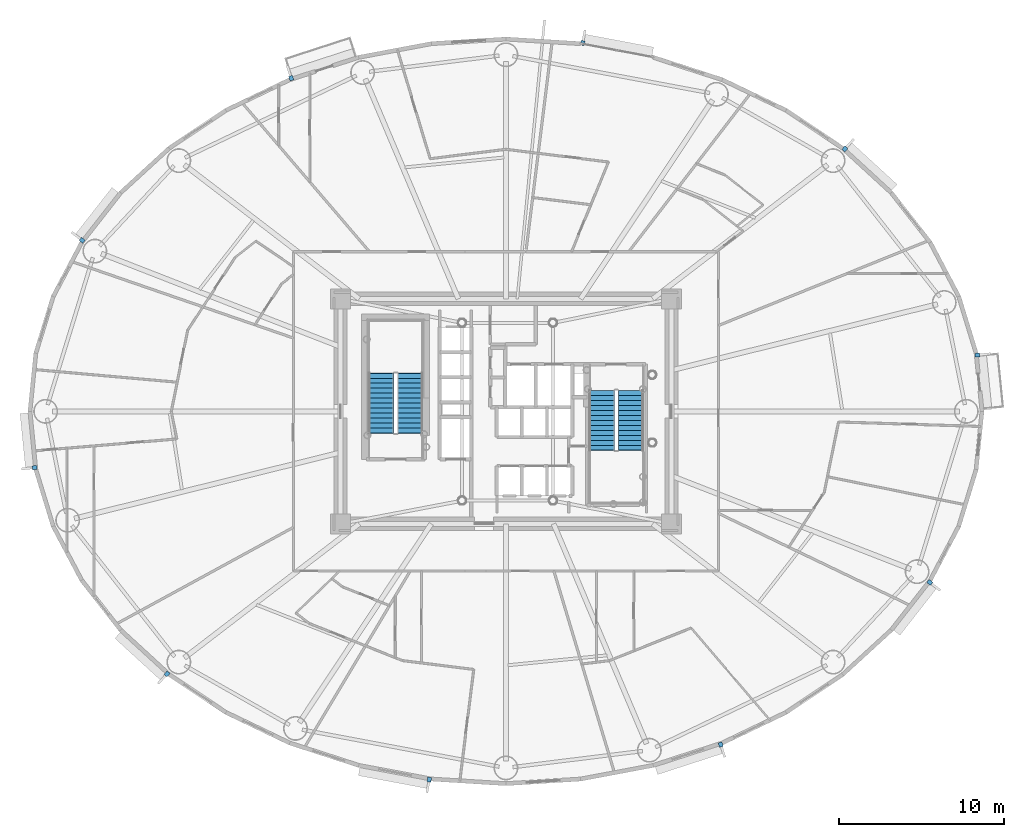
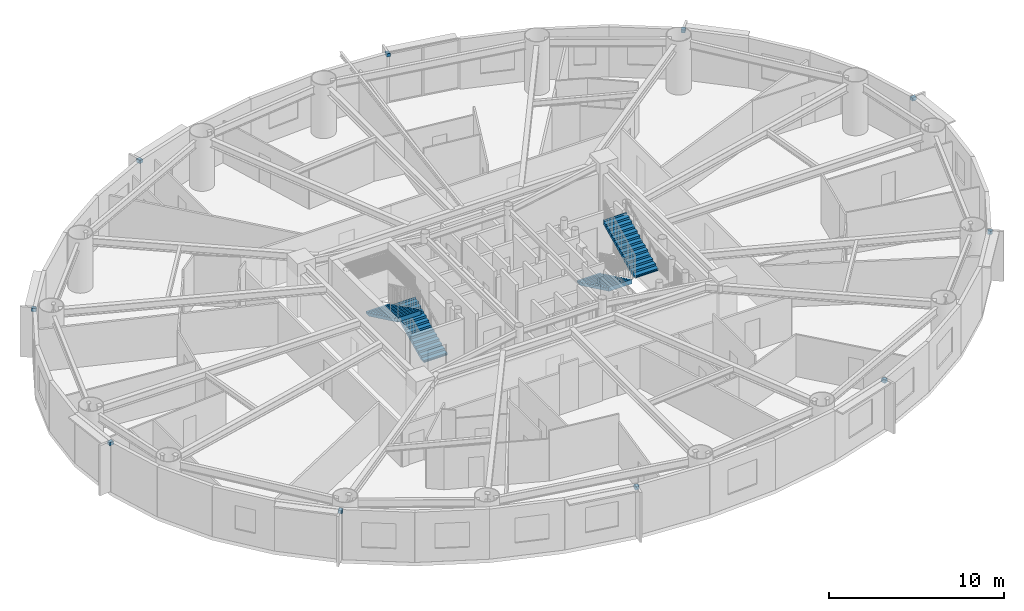
# One storey, part 12 of 18: 10 discrete accessories, 4 stair flights, 2 elements without a shape of their own.
"""IFC4 building model written with IfcOpenShell, lengths in metres."""

from ifc_helpers import new_model, si_unit, direction, frame, origin, origin_2d, place, context, subcontext, project, spatial, polyline, rectangle, outline, extrude, source, transform, mapped, material, type_object, element, aggregate, save


model = new_model("IFC4")

# Units and contexts
model_context = context("Model", 3, precision=1e-05, world=origin(), true_north=direction((0.0, 1.0)))
body_context = subcontext(model_context, "Body", "Model", "MODEL_VIEW")
ifc_project = project(units=[si_unit("LENGTHUNIT", "METRE"), si_unit("AREAUNIT", "SQUARE_METRE"), si_unit("VOLUMEUNIT", "CUBIC_METRE"), si_unit("PLANEANGLEUNIT", "RADIAN"), si_unit("MASSUNIT", "GRAM", prefix="KILO")], contexts=[model_context])

# Site, building, storey
site_placement = place(None, origin())
site = spatial("IfcSite", under=ifc_project, at=site_placement, CompositionType="ELEMENT")
building_placement = place(site_placement, origin())
building = spatial("IfcBuilding", under=site, at=building_placement, Name="Linh Dai School and Residence Tower", CompositionType="ELEMENT")
storey_placement = place(building_placement, frame((0.0, 0.0, 104.699951171875)))
storey = spatial("IfcBuildingStorey", under=building, at=storey_placement, Name="L24", CompositionType="ELEMENT", Elevation=104.699951171875)

# Stair, stair flights
ifc_material_1 = material(Name="Concrete B45 (C35/45)", Category="concrete")
stair_type = type_object("IfcStairType", Name="ST-DOG-1550-R1442", PredefinedType="HALF_TURN_STAIR", material=ifc_material_1)
stair_1_placement = place(storey_placement, origin())
stair_1 = element("IfcStair", 1, at=stair_1_placement, inside=storey, type_object=stair_type, Name="L24 Core Smokeproof Exit Stair ST1", PredefinedType="HALF_TURN_STAIR")
stair_flight_type = type_object("IfcStairFlightType", Name="STF-STR-1550-R1442", PredefinedType="STRAIGHT", material=ifc_material_1)
shared_shape_1 = source(origin(), body_context, "Body", "SweptSolid", [
    extrude(outline(polyline([(-0.02490234375, 0.0), (-0.02490234375, 0.06005859375), (0.0, 0.06005859375), (0.0, 0.144287109375), (0.300048828125, 0.144287109375), (0.300048828125, 0.28857421875), (0.60009765625, 0.28857421875), (0.60009765625, 0.4326171875), (0.89990234375, 0.4326171875), (0.89990234375, 0.576904296875), (1.199951171875, 0.576904296875), (1.199951171875, 0.72119140625), (1.5, 0.72119140625), (1.5, 0.865478515625), (1.800048828125, 0.865478515625), (1.800048828125, 1.009521484375), (2.10009765625, 1.009521484375), (2.10009765625, 1.15380859375), (2.39990234375, 1.15380859375), (2.39990234375, 1.298095703125), (2.699951171875, 1.298095703125), (2.699951171875, 1.4423828125), (3.0, 1.4423828125), (3.0, 1.58642578125), (3.300048828125, 1.58642578125), (3.300048828125, 1.730712890625), (3.60009765625, 1.730712890625), (3.60009765625, 1.875), (3.625, 1.875), (3.625, 1.564453125), (3.60009765625, 1.564453125), (0.345947265625, 0.0), (-0.02490234375, 0.0)])), frame((0.0, 0.77490234375, 0.0), z_axis=(0.0, -1.0, 0.0), x_axis=(1.0, 0.0, 0.0)), (0.0, 0.0, 1.0), 1.550048828125),
])
stair_flight_1_placement = place(storey_placement, frame((30.205078125, 25.699951171875, 0.0), z_axis=(0.0, 0.0, 1.0), x_axis=(0.0, 1.0, 0.0)))
stair_flight_1 = element("IfcStairFlight", 2, at=stair_flight_1_placement, type_object=stair_flight_type, Name="ST1 flight 1", NumberOfRisers=13, NumberOfTreads=12, PredefinedType="STRAIGHT", RiserHeight=0.144230769, TreadLength=0.3, context=body_context, shape_type="MappedRepresentation", body=[
    mapped(shared_shape_1, transform((0.0, 0.0, 0.0), x_axis=(1.0, 0.0, 0.0), y_axis=(0.0, 1.0, 0.0), z_axis=(0.0, 0.0, 1.0), scale=1.0)),
])
stair_flight_2_placement = place(storey_placement, frame((28.455078125, 29.300048828125, 1.875), z_axis=(0.0, 0.0, 1.0), x_axis=(0.0, -1.0, 0.0)))
stair_flight_2 = element("IfcStairFlight", 3, at=stair_flight_2_placement, type_object=stair_flight_type, Name="ST1 flight 2", NumberOfRisers=13, NumberOfTreads=12, PredefinedType="STRAIGHT", RiserHeight=0.144230769, TreadLength=0.3, context=body_context, shape_type="MappedRepresentation", body=[
    mapped(shared_shape_1, transform((0.0, 0.0, 0.0), x_axis=(1.0, 0.0, 0.0), y_axis=(0.0, 1.0, 0.0), z_axis=(0.0, 0.0, 1.0), scale=1.0)),
])
aggregate(stair_1, [stair_flight_1, stair_flight_2])

stair_2_placement = place(storey_placement, origin())
stair_2 = element("IfcStair", 4, at=stair_2_placement, inside=storey, type_object=stair_type, Name="L24 Core Smokeproof Exit Stair ST2", PredefinedType="HALF_TURN_STAIR")
stair_flight_3_placement = place(storey_placement, frame((41.794921875, 28.25, 0.0), z_axis=(0.0, 0.0, 1.0), x_axis=(0.0, -1.0, 0.0)))
stair_flight_3 = element("IfcStairFlight", 5, at=stair_flight_3_placement, type_object=stair_flight_type, Name="ST2 flight 1", NumberOfRisers=13, NumberOfTreads=12, PredefinedType="STRAIGHT", RiserHeight=0.144230769, TreadLength=0.3, context=body_context, shape_type="MappedRepresentation", body=[
    mapped(shared_shape_1, transform((0.0, 0.0, 0.0), x_axis=(1.0, 0.0, 0.0), y_axis=(0.0, 1.0, 0.0), z_axis=(0.0, 0.0, 1.0), scale=1.0)),
])
stair_flight_4_placement = place(storey_placement, frame((43.544921875, 24.64990234375, 1.875), z_axis=(0.0, 0.0, 1.0), x_axis=(0.0, 1.0, 0.0)))
stair_flight_4 = element("IfcStairFlight", 6, at=stair_flight_4_placement, type_object=stair_flight_type, Name="ST2 flight 2", NumberOfRisers=13, NumberOfTreads=12, PredefinedType="STRAIGHT", RiserHeight=0.144230769, TreadLength=0.3, context=body_context, shape_type="MappedRepresentation", body=[
    mapped(shared_shape_1, transform((0.0, 0.0, 0.0), x_axis=(1.0, 0.0, 0.0), y_axis=(0.0, 1.0, 0.0), z_axis=(0.0, 0.0, 1.0), scale=1.0)),
])
aggregate(stair_2, [stair_flight_3, stair_flight_4])

# Discrete accessories
ifc_material_2 = material(Name="Structural Steel S355JR", Category="steel")
discrete_accessory_type = type_object("IfcDiscreteAccessoryType", Name="ACC-BRK-S355", PredefinedType="BRACKET", material=ifc_material_2)
shared_shape_2 = source(origin(), body_context, "Body", "SweptSolid", [
    extrude(rectangle(XDim=0.280029296875, YDim=0.239990234375, at=origin_2d()), origin(), (0.0, 0.0, 1.0), 0.219970703125),
])
for number, where, z_axis, x_axis, name in (
    (7, (64.493408203125, 30.40185546875, 3.25), (0.0, 0.0, 1.0), (0.994986703684, 0.100007297192, 0.0), "L24 Facade Frame Anchor Bracket 01"),
    (8, (56.4873046875, 42.866455078125, 3.25), (0.0, 0.0, 1.0), (0.675783395482, 0.737100266172, 0.0), "L24 Facade Frame Anchor Bracket 05"),
    (9, (40.634521484375, 49.26416015625, 3.25), (0.0, 0.0, 1.0), (0.18475466193, 0.982784673718, 0.0), "L24 Facade Frame Anchor Bracket 09"),
    (10, (23.021728515625, 47.1416015625, 3.25), (0.0, 0.0, 1.0), (-0.308522363457, 0.951217089442, 0.0), "L24 Facade Frame Anchor Bracket 13"),
    (11, (10.38134765625, 37.337158203125, 3.25), (0.0, 0.0, 1.0), (-0.787507539838, 0.616305017583, 0.0), "L24 Facade Frame Anchor Bracket 17"),
    (12, (7.506591796875, 23.59814453125, 3.25), (0.0, 0.0, 1.0), (-0.994986703684, -0.100007297192, 0.0), "L24 Facade Frame Anchor Bracket 21"),
    (13, (15.5126953125, 11.133544921875, 3.25), (0.0, 0.0, 1.0), (-0.675783395482, -0.737100266172, 0.0), "L24 Facade Frame Anchor Bracket 25"),
    (14, (31.365478515625, 4.73583984375, 3.25), (0.0, 0.0, 1.0), (-0.18475466193, -0.982784673718, 0.0), "L24 Facade Frame Anchor Bracket 29"),
    (15, (48.978271484375, 6.8583984375, 3.25), (0.0, 0.0, 1.0), (0.308522363457, -0.951217089442, 0.0), "L24 Facade Frame Anchor Bracket 33"),
    (16, (61.61865234375, 16.662841796875, 3.25), (0.0, 0.0, 1.0), (0.787507539838, -0.616305017583, 0.0), "L24 Facade Frame Anchor Bracket 37"),
):
    element("IfcDiscreteAccessory", number, at=place(storey_placement, frame(where, z_axis=z_axis, x_axis=x_axis)), inside=storey, type_object=discrete_accessory_type, Name=name, PredefinedType="BRACKET", context=body_context, shape_type="MappedRepresentation", body=[
        mapped(shared_shape_2, transform((0.0, 0.0, 0.0), x_axis=(1.0, 0.0, 0.0), y_axis=(0.0, 1.0, 0.0), z_axis=(0.0, 0.0, 1.0), scale=1.0)),
    ])

save(model, "model.ifc")
